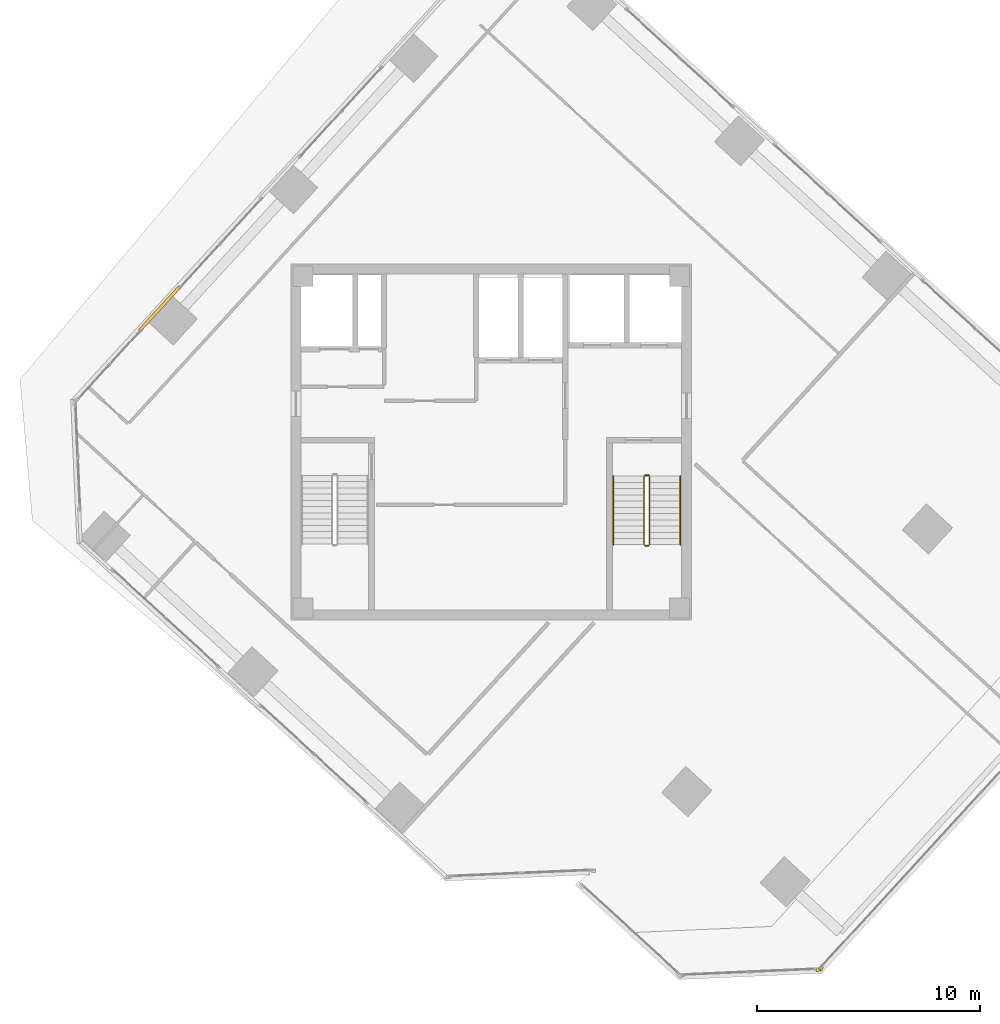
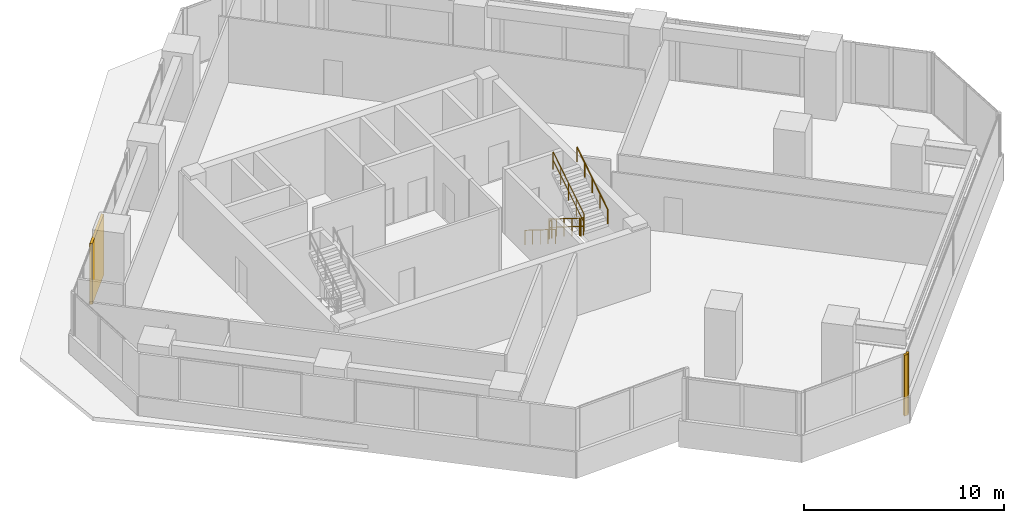
# One storey, part 17 of 19: 6 railings, 3 coverings.
"""IFC4 building model written with IfcOpenShell, lengths in metres."""

from ifc_helpers import new_model, si_unit, direction, frame, origin, origin_2d, place, context, subcontext, project, spatial, rectangle, circle, extrude, source, transform, mapped, material, layer, layer_set, type_object, element, save


model = new_model("IFC4")

# Units and contexts
model_context = context("Model", 3, precision=1e-05, world=origin(), true_north=direction((0.0, 1.0)))
body_context = subcontext(model_context, "Body", "Model", "MODEL_VIEW")
ifc_project = project(units=[si_unit("LENGTHUNIT", "METRE"), si_unit("AREAUNIT", "SQUARE_METRE"), si_unit("VOLUMEUNIT", "CUBIC_METRE"), si_unit("PLANEANGLEUNIT", "RADIAN"), si_unit("MASSUNIT", "GRAM", prefix="KILO")], contexts=[model_context])

# Site, building, storey
site_placement = place(None, origin())
site = spatial("IfcSite", under=ifc_project, at=site_placement, CompositionType="ELEMENT")
building_placement = place(site_placement, origin())
building = spatial("IfcBuilding", under=site, at=building_placement, Name="Torre Montelarca", CompositionType="ELEMENT")
storey_placement = place(building_placement, frame((0.0, 0.0, 229.0)))
storey = spatial("IfcBuildingStorey", under=building, at=storey_placement, Name="L51", CompositionType="ELEMENT", Elevation=229.0)

# Railings
ifc_material_1 = material(Name="Powder-coated steel ASTM A500 Grade C", Category="steel")
railing_type_1 = type_object("IfcRailingType", Name="RL-GUARD-1100", PredefinedType="BALUSTRADE", material=ifc_material_1)
railing_1_placement = place(storey_placement, frame((24.8701171875, 30.469970703125, 0.175048828125)))
element("IfcRailing", 1, at=railing_1_placement, inside=storey, type_object=railing_type_1, Name="L51 ST2 stair guard 1", PredefinedType="BALUSTRADE", context=body_context, shape_type="SweptSolid", body=[
    extrude(circle(Radius=0.02392578125, at=origin_2d()), frame((0.0, 0.0, 1.076171875), z_axis=(0.0, -0.847998304005, 0.529998940003), x_axis=(1.0, 0.0, 0.0)), (0.0, 0.0, 1.0), 3.632080078125),
    extrude(circle(Radius=0.02099609375, at=origin_2d()), frame((0.0, 0.0, 0.572021484375), z_axis=(0.0, -0.847998304005, 0.529998940003), x_axis=(1.0, 0.0, 0.0)), (0.0, 0.0, 1.0), 3.632080078125),
    extrude(circle(Radius=0.02099609375, at=origin_2d()), origin(), (0.0, 0.0, 1.0), 1.052001953125),
    extrude(circle(Radius=0.02099609375, at=origin_2d()), frame((0.0, -0.77001953125, 0.481201171875)), (0.0, 0.0, 1.0), 1.052001953125),
    extrude(circle(Radius=0.02099609375, at=origin_2d()), frame((0.0, -1.5400390625, 0.96240234375)), (0.0, 0.0, 1.0), 1.052001953125),
    extrude(circle(Radius=0.02099609375, at=origin_2d()), frame((0.0, -2.31005859375, 1.44384765625)), (0.0, 0.0, 1.0), 1.052001953125),
    extrude(circle(Radius=0.02099609375, at=origin_2d()), frame((0.0, -3.080078125, 1.925048828125)), (0.0, 0.0, 1.0), 1.052001953125),
])
railing_2_placement = place(storey_placement, frame((24.919921875, 27.340087890625, 2.10009765625)))
element("IfcRailing", 2, at=railing_2_placement, inside=storey, type_object=railing_type_1, Name="L51 ST2 stair guard 2", PredefinedType="BALUSTRADE", context=body_context, shape_type="SweptSolid", body=[
    extrude(circle(Radius=0.02392578125, at=origin_2d()), frame((0.0, 0.0, 1.076171875), z_axis=(1.0, 0.0, 0.0), x_axis=(0.0, 1.0, 0.0)), (0.0, 0.0, 1.0), 0.150146484375),
    extrude(circle(Radius=0.02099609375, at=origin_2d()), frame((0.0, 0.0, 0.572021484375), z_axis=(1.0, 0.0, 0.0), x_axis=(0.0, 1.0, 0.0)), (0.0, 0.0, 1.0), 0.150146484375),
    extrude(circle(Radius=0.02099609375, at=origin_2d()), origin(), (0.0, 0.0, 1.0), 1.052001953125),
    extrude(circle(Radius=0.02099609375, at=origin_2d()), frame((0.150146484375, 0.0, 0.0)), (0.0, 0.0, 1.0), 1.052001953125),
])
railing_3_placement = place(storey_placement, frame((25.1201171875, 27.389892578125, 2.27490234375)))
element("IfcRailing", 3, at=railing_3_placement, inside=storey, type_object=railing_type_1, Name="L51 ST2 stair guard 3", PredefinedType="BALUSTRADE", context=body_context, shape_type="SweptSolid", body=[
    extrude(circle(Radius=0.02392578125, at=origin_2d()), frame((0.0, 0.0, 1.076171875), z_axis=(0.0, 0.847998304005, 0.529998940003), x_axis=(-1.0, 0.0, 0.0)), (0.0, 0.0, 1.0), 3.632080078125),
    extrude(circle(Radius=0.02099609375, at=origin_2d()), frame((0.0, 0.0, 0.572021484375), z_axis=(0.0, 0.847998304005, 0.529998940003), x_axis=(-1.0, 0.0, 0.0)), (0.0, 0.0, 1.0), 3.632080078125),
    extrude(circle(Radius=0.02099609375, at=origin_2d()), origin(), (0.0, 0.0, 1.0), 1.052001953125),
    extrude(circle(Radius=0.02099609375, at=origin_2d()), frame((0.0, 0.77001953125, 0.481201171875)), (0.0, 0.0, 1.0), 1.052001953125),
    extrude(circle(Radius=0.02099609375, at=origin_2d()), frame((0.0, 1.5400390625, 0.96240234375)), (0.0, 0.0, 1.0), 1.052001953125),
    extrude(circle(Radius=0.02099609375, at=origin_2d()), frame((0.0, 2.31005859375, 1.44384765625)), (0.0, 0.0, 1.0), 1.052001953125),
    extrude(circle(Radius=0.02099609375, at=origin_2d()), frame((0.0, 3.080078125, 1.925048828125)), (0.0, 0.0, 1.0), 1.052001953125),
])
railing_4_placement = place(storey_placement, frame((24.919921875, 30.52001953125, 0.0)))
element("IfcRailing", 4, at=railing_4_placement, inside=storey, type_object=railing_type_1, Name="L51 ST2 stair guard 4", PredefinedType="BALUSTRADE", context=body_context, shape_type="SweptSolid", body=[
    extrude(circle(Radius=0.02392578125, at=origin_2d()), frame((0.0, 0.0, 1.076171875), z_axis=(1.0, 0.0, 0.0), x_axis=(0.0, 1.0, 0.0)), (0.0, 0.0, 1.0), 0.150146484375),
    extrude(circle(Radius=0.02099609375, at=origin_2d()), frame((0.0, 0.0, 0.572021484375), z_axis=(1.0, 0.0, 0.0), x_axis=(0.0, 1.0, 0.0)), (0.0, 0.0, 1.0), 0.150146484375),
    extrude(circle(Radius=0.02099609375, at=origin_2d()), origin(), (0.0, 0.0, 1.0), 1.052001953125),
    extrude(circle(Radius=0.02099609375, at=origin_2d()), frame((0.150146484375, 0.0, 0.0)), (0.0, 0.0, 1.0), 1.052001953125),
])
ifc_material_2 = material(Name="Brushed stainless steel AISI 316", Category="steel")
railing_type_2 = type_object("IfcRailingType", Name="RL-HANDRAIL-900", PredefinedType="HANDRAIL", material=ifc_material_2)
railing_5_placement = place(storey_placement, frame((23.489990234375, 30.469970703125, 0.175048828125)))
element("IfcRailing", 5, at=railing_5_placement, inside=storey, type_object=railing_type_2, Name="L51 ST2 stair handrail 1", PredefinedType="HANDRAIL", context=body_context, shape_type="SweptSolid", body=[
    extrude(circle(Radius=0.02392578125, at=origin_2d()), frame((0.0, 0.0, 0.8759765625), z_axis=(0.0, -0.847998304005, 0.529998940003), x_axis=(1.0, 0.0, 0.0)), (0.0, 0.0, 1.0), 3.632080078125),
    extrude(circle(Radius=0.02099609375, at=origin_2d()), origin(), (0.0, 0.0, 1.0), 0.851806640625),
    extrude(circle(Radius=0.02099609375, at=origin_2d()), frame((0.0, -0.77001953125, 0.481201171875)), (0.0, 0.0, 1.0), 0.851806640625),
    extrude(circle(Radius=0.02099609375, at=origin_2d()), frame((0.0, -1.5400390625, 0.96240234375)), (0.0, 0.0, 1.0), 0.851806640625),
    extrude(circle(Radius=0.02099609375, at=origin_2d()), frame((0.0, -2.31005859375, 1.44384765625)), (0.0, 0.0, 1.0), 0.851806640625),
    extrude(circle(Radius=0.02099609375, at=origin_2d()), frame((0.0, -3.080078125, 1.925048828125)), (0.0, 0.0, 1.0), 0.851806640625),
])
railing_6_placement = place(storey_placement, frame((26.5, 27.389892578125, 2.27490234375)))
element("IfcRailing", 6, at=railing_6_placement, inside=storey, type_object=railing_type_2, Name="L51 ST2 stair handrail 2", PredefinedType="HANDRAIL", context=body_context, shape_type="SweptSolid", body=[
    extrude(circle(Radius=0.02392578125, at=origin_2d()), frame((0.0, 0.0, 0.8759765625), z_axis=(0.0, 0.847998304005, 0.529998940003), x_axis=(-1.0, 0.0, 0.0)), (0.0, 0.0, 1.0), 3.632080078125),
    extrude(circle(Radius=0.02099609375, at=origin_2d()), origin(), (0.0, 0.0, 1.0), 0.851806640625),
    extrude(circle(Radius=0.02099609375, at=origin_2d()), frame((0.0, 0.77001953125, 0.481201171875)), (0.0, 0.0, 1.0), 0.851806640625),
    extrude(circle(Radius=0.02099609375, at=origin_2d()), frame((0.0, 1.5400390625, 0.96240234375)), (0.0, 0.0, 1.0), 0.851806640625),
    extrude(circle(Radius=0.02099609375, at=origin_2d()), frame((0.0, 2.31005859375, 1.44384765625)), (0.0, 0.0, 1.0), 0.851806640625),
    extrude(circle(Radius=0.02099609375, at=origin_2d()), frame((0.0, 3.080078125, 1.925048828125)), (0.0, 0.0, 1.0), 0.851806640625),
])

# Coverings
ifc_material_3 = material(Name="Bush-hammered warm white precast concrete C45/55", Category="concrete")
ifc_layer = layer(ifc_material_3, 0.139892578125, Name="Bush-hammered warm white precast concrete C45/55", Category="concrete")
ifc_layer_set = layer_set([ifc_layer], Name="Bush-hammered warm white precast concrete C45/55")
covering_type = type_object("IfcCoveringType", Name="COV-TRAY-CLAD", PredefinedType="CLADDING", material=ifc_layer_set)
shared_shape_1 = source(origin(), body_context, "Body", "SweptSolid", [
    extrude(rectangle(XDim=0.199951171875, YDim=0.139892578125, at=origin_2d()), origin(), (0.0, 0.0, 1.0), 3.719970703125),
])
for number, where, z_axis, x_axis, name in (
    (7, (32.681396484375, 8.301513671875, 0.0), (0.0, 0.0, 1.0), (0.999047840893, 0.043628105704, 0.0), "L51 Architectural Column Pier Cladding E05-2"),
    (8, (32.81298828125, 8.36279296875, 0.0), (0.0, 0.0, 1.0), (0.675592781195, 0.737274978551, 0.0), "L51 Architectural Column Pier Cladding E06-1"),
):
    element("IfcCovering", number, at=place(storey_placement, frame(where, z_axis=z_axis, x_axis=x_axis)), inside=storey, type_object=covering_type, Name=name, PredefinedType="CLADDING", context=body_context, shape_type="MappedRepresentation", body=[
        mapped(shared_shape_1, transform((0.0, 0.0, 0.0), scale=1.0)),
    ])
shared_shape_2 = source(origin(), body_context, "Body", "SweptSolid", [
    extrude(rectangle(XDim=2.659912109375, YDim=0.139892578125, at=origin_2d()), origin(), (0.0, 0.0, 1.0), 3.719970703125),
])
covering_placement = place(storey_placement, frame((3.11181640625, 37.9990234375, 0.0), z_axis=(0.0, 0.0, 1.0), x_axis=(-0.675588920823, -0.737278515936, 0.0)))
element("IfcCovering", 9, at=covering_placement, inside=storey, type_object=covering_type, Name="L51 Architectural Column Pier Cladding E10-4", PredefinedType="CLADDING", context=body_context, shape_type="MappedRepresentation", body=[
    mapped(shared_shape_2, transform((0.0, 0.0, 0.0), scale=1.0)),
])

save(model, "model.ifc")
